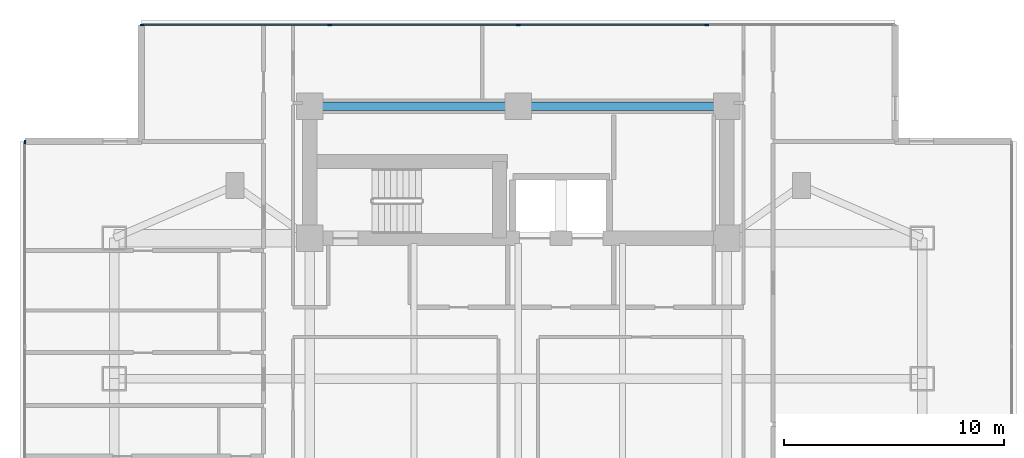
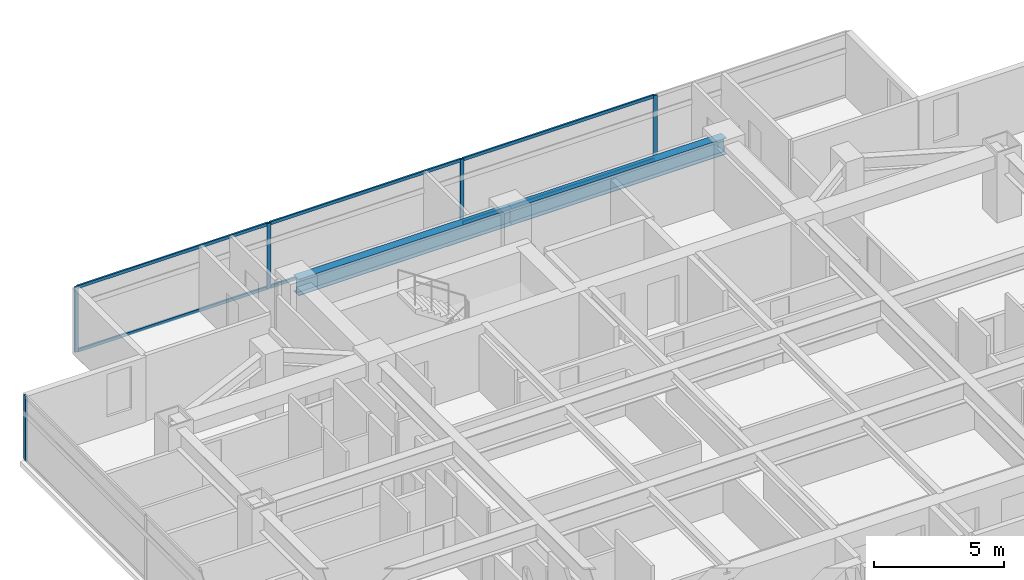
# One storey, part 7 of 26: 11 members, 2 beams, 2 elements without a shape of their own.
"""IFC4 building model written with IfcOpenShell, lengths in metres."""

from ifc_helpers import new_model, si_unit, direction, frame, origin, origin_2d, place, context, subcontext, project, spatial, rectangle, i_section, extrude, material, material_profile, profile_set, type_object, element, aggregate, save


model = new_model("IFC4")

# Units and contexts
model_context = context("Model", 3, precision=1e-05, world=origin(), true_north=direction((0.0, 1.0)))
body_context = subcontext(model_context, "Body", "Model", "MODEL_VIEW")
ifc_project = project(units=[si_unit("LENGTHUNIT", "METRE"), si_unit("AREAUNIT", "SQUARE_METRE"), si_unit("VOLUMEUNIT", "CUBIC_METRE"), si_unit("PLANEANGLEUNIT", "RADIAN"), si_unit("MASSUNIT", "GRAM", prefix="KILO")], contexts=[model_context])

# Site, building, storey
site_placement = place(None, origin())
site = spatial("IfcSite", under=ifc_project, at=site_placement, CompositionType="ELEMENT")
building_placement = place(site_placement, origin())
building = spatial("IfcBuilding", under=site, at=building_placement, Name="Mirazonda Arch Towers", CompositionType="ELEMENT")
storey_placement = place(building_placement, frame((0.0, 0.0, 114.800048828125)))
storey = spatial("IfcBuildingStorey", under=building, at=storey_placement, Name="L32", CompositionType="ELEMENT", Elevation=114.800048828125)

# Beams
ifc_material_1 = material(Name="Steel ASTM A992 Grade 50", Category="steel")
ifc_material_profile_1 = material_profile(ifc_material_1, i_section(OverallWidth=0.381103515625, OverallDepth=0.77294921875, WebThickness=0.0166015625, FlangeThickness=0.027099609375, at=origin_2d()), Name="W30X173")
ifc_profile_set_1 = profile_set([ifc_material_profile_1], Name="Steel ASTM A992 Grade 50")
beam_type = type_object("IfcBeamType", Name="BM-INT-W30X173", PredefinedType="USERDEFINED", material=ifc_profile_set_1)
for number, where, z_axis, x_axis, name in (
    (1, (11.0, 43.60009765625, 2.693359375), (1.0, 0.0, 0.0), (0.0, 1.0, 0.0), "L32 Floor Beam BM-T1-L32-CN1"),
    (2, (20.5, 43.60009765625, 2.693359375), (1.0, 0.0, 0.0), (0.0, 1.0, 0.0), "L32 Floor Beam BM-T1-L32-CN2"),
):
    element("IfcBeam", number, at=place(storey_placement, frame(where, z_axis=z_axis, x_axis=x_axis)), inside=storey, type_object=beam_type, Name=name, ObjectType="GIRDER", PredefinedType="USERDEFINED", context=body_context, shape_type="SweptSolid", body=[
        extrude(i_section(OverallWidth=0.381103515625, OverallDepth=0.77294921875, WebThickness=0.0166015625, FlangeThickness=0.027099609375, at=origin_2d()), origin(), (0.0, 0.0, 1.0), 9.5),
    ])

# Curtain wall, members
ifc_material_2 = material(Name="Anodised Aluminium and Low-E Glass", Category="aluminium")
curtain_wall_type = type_object("IfcCurtainWallType", Name="CW-HTL-UNIT", PredefinedType="NOTDEFINED", material=ifc_material_2)
curtain_wall_1_placement = place(storey_placement, origin())
curtain_wall_1 = element("IfcCurtainWall", 3, at=curtain_wall_1_placement, inside=storey, type_object=curtain_wall_type, Name="L32 T1 N Facade CW-L32-T1-N", PredefinedType="NOTDEFINED")
ifc_material_3 = material(Name="Anodised Aluminium Alloy", Category="aluminium")
ifc_material_profile_2 = material_profile(ifc_material_3, rectangle(XDim=0.074951171875, YDim=0.1650390625, at=origin_2d()), Name="ALU-MULL-75x165")
ifc_profile_set_2 = profile_set([ifc_material_profile_2], Name="Anodised Aluminium Alloy")
member_type_1 = type_object("IfcMemberType", Name="MULL-CW-HTL-UNIT", PredefinedType="MULLION", material=ifc_profile_set_2)
member_1_placement = place(storey_placement, frame((3.37255859375, 47.31396484375, 0.0), z_axis=(0.0, 0.0, 1.0), x_axis=(0.0, 1.0, 0.0)))
member_1 = element("IfcMember", 4, at=member_1_placement, type_object=member_type_1, Name="CW-112 mullion 1", PredefinedType="MULLION", context=body_context, shape_type="SweptSolid", body=[
    extrude(rectangle(XDim=0.074951171875, YDim=0.1650390625, at=origin_2d()), origin(), (0.0, 0.0, 1.0), 3.06005859375),
])
member_2_placement = place(storey_placement, frame((11.91748046875, 47.31396484375, 0.0), z_axis=(0.0, 0.0, 1.0), x_axis=(0.0, 1.0, 0.0)))
member_2 = element("IfcMember", 5, at=member_2_placement, type_object=member_type_1, Name="CW-112 mullion 2", PredefinedType="MULLION", context=body_context, shape_type="SweptSolid", body=[
    extrude(rectangle(XDim=0.074951171875, YDim=0.1650390625, at=origin_2d()), origin(), (0.0, 0.0, 1.0), 3.06005859375),
])
member_3_placement = place(storey_placement, frame((20.5, 47.31396484375, 0.0), z_axis=(0.0, 0.0, 1.0), x_axis=(0.0, 1.0, 0.0)))
member_3 = element("IfcMember", 6, at=member_3_placement, type_object=member_type_1, Name="CW-112 mullion 3", PredefinedType="MULLION", context=body_context, shape_type="SweptSolid", body=[
    extrude(rectangle(XDim=0.074951171875, YDim=0.1650390625, at=origin_2d()), origin(), (0.0, 0.0, 1.0), 3.06005859375),
])
member_4_placement = place(storey_placement, frame((29.08251953125, 47.31396484375, 0.0), z_axis=(0.0, 0.0, 1.0), x_axis=(0.0, 1.0, 0.0)))
member_4 = element("IfcMember", 7, at=member_4_placement, type_object=member_type_1, Name="CW-112 mullion 4", PredefinedType="MULLION", context=body_context, shape_type="SweptSolid", body=[
    extrude(rectangle(XDim=0.074951171875, YDim=0.1650390625, at=origin_2d()), origin(), (0.0, 0.0, 1.0), 3.06005859375),
])

# Curtain wall, member
curtain_wall_2_placement = place(storey_placement, origin())
curtain_wall_2 = element("IfcCurtainWall", 8, at=curtain_wall_2_placement, inside=storey, type_object=curtain_wall_type, Name="L32 T1 W Facade CW-L32-T1-W", PredefinedType="NOTDEFINED")
member_5_placement = place(storey_placement, frame((-1.969970703125, 41.971435546875, 0.0), z_axis=(0.0, 0.0, 1.0), x_axis=(1.0, 0.0, 0.0)))
member_5 = element("IfcMember", 9, at=member_5_placement, type_object=member_type_1, Name="CW-112 mullion 1", PredefinedType="MULLION", context=body_context, shape_type="SweptSolid", body=[
    extrude(rectangle(XDim=0.074951171875, YDim=0.1650390625, at=origin_2d()), origin(), (0.0, 0.0, 1.0), 3.06005859375),
])
aggregate(curtain_wall_2, [member_5])

# Member
ifc_material_profile_3 = material_profile(ifc_material_3, rectangle(XDim=0.074951171875, YDim=0.14501953125, at=origin_2d()), Name="ALU-TRAN-75x145")
ifc_profile_set_3 = profile_set([ifc_material_profile_3], Name="Anodised Aluminium Alloy")
member_type_2 = type_object("IfcMemberType", Name="TRAN-CW-HTL-UNIT", PredefinedType="USERDEFINED", material=ifc_profile_set_3)
member_6_placement = place(storey_placement, frame((3.409912109375, 47.31396484375, 0.037353515625), z_axis=(1.0, 0.0, 0.0), x_axis=(0.0, 1.0, 0.0)))
member_6 = element("IfcMember", 10, at=member_6_placement, type_object=member_type_2, Name="CW-112 transom 1.1", ObjectType="TRANSOM", PredefinedType="USERDEFINED", context=body_context, shape_type="SweptSolid", body=[
    extrude(rectangle(XDim=0.074951171875, YDim=0.14501953125, at=origin_2d()), origin(), (0.0, 0.0, 1.0), 8.469970703125),
])

member_7_placement = place(storey_placement, frame((3.409912109375, 47.31396484375, 3.0224609375), z_axis=(1.0, 0.0, 0.0), x_axis=(0.0, 1.0, 0.0)))
member_7 = element("IfcMember", 11, at=member_7_placement, type_object=member_type_2, Name="CW-112 transom 1.2", ObjectType="TRANSOM", PredefinedType="USERDEFINED", context=body_context, shape_type="SweptSolid", body=[
    extrude(rectangle(XDim=0.074951171875, YDim=0.14501953125, at=origin_2d()), origin(), (0.0, 0.0, 1.0), 8.469970703125),
])

member_8_placement = place(storey_placement, frame((11.955078125, 47.31396484375, 0.037353515625), z_axis=(1.0, 0.0, 0.0), x_axis=(0.0, 1.0, 0.0)))
member_8 = element("IfcMember", 12, at=member_8_placement, type_object=member_type_2, Name="CW-112 transom 2.1", ObjectType="TRANSOM", PredefinedType="USERDEFINED", context=body_context, shape_type="SweptSolid", body=[
    extrude(rectangle(XDim=0.074951171875, YDim=0.14501953125, at=origin_2d()), origin(), (0.0, 0.0, 1.0), 8.50732421875),
])

member_9_placement = place(storey_placement, frame((11.955078125, 47.31396484375, 3.0224609375), z_axis=(1.0, 0.0, 0.0), x_axis=(0.0, 1.0, 0.0)))
member_9 = element("IfcMember", 13, at=member_9_placement, type_object=member_type_2, Name="CW-112 transom 2.2", ObjectType="TRANSOM", PredefinedType="USERDEFINED", context=body_context, shape_type="SweptSolid", body=[
    extrude(rectangle(XDim=0.074951171875, YDim=0.14501953125, at=origin_2d()), origin(), (0.0, 0.0, 1.0), 8.50732421875),
])

member_10_placement = place(storey_placement, frame((20.53759765625, 47.31396484375, 0.037353515625), z_axis=(1.0, 0.0, 0.0), x_axis=(0.0, 1.0, 0.0)))
member_10 = element("IfcMember", 14, at=member_10_placement, type_object=member_type_2, Name="CW-112 transom 3.1", ObjectType="TRANSOM", PredefinedType="USERDEFINED", context=body_context, shape_type="SweptSolid", body=[
    extrude(rectangle(XDim=0.074951171875, YDim=0.14501953125, at=origin_2d()), origin(), (0.0, 0.0, 1.0), 8.50732421875),
])

member_11_placement = place(storey_placement, frame((20.53759765625, 47.31396484375, 3.0224609375), z_axis=(1.0, 0.0, 0.0), x_axis=(0.0, 1.0, 0.0)))
member_11 = element("IfcMember", 15, at=member_11_placement, type_object=member_type_2, Name="CW-112 transom 3.2", ObjectType="TRANSOM", PredefinedType="USERDEFINED", context=body_context, shape_type="SweptSolid", body=[
    extrude(rectangle(XDim=0.074951171875, YDim=0.14501953125, at=origin_2d()), origin(), (0.0, 0.0, 1.0), 8.50732421875),
])

aggregate(curtain_wall_1, [member_1, member_2, member_3, member_4, member_6, member_7, member_8, member_9, member_10, member_11])

save(model, "model.ifc")
